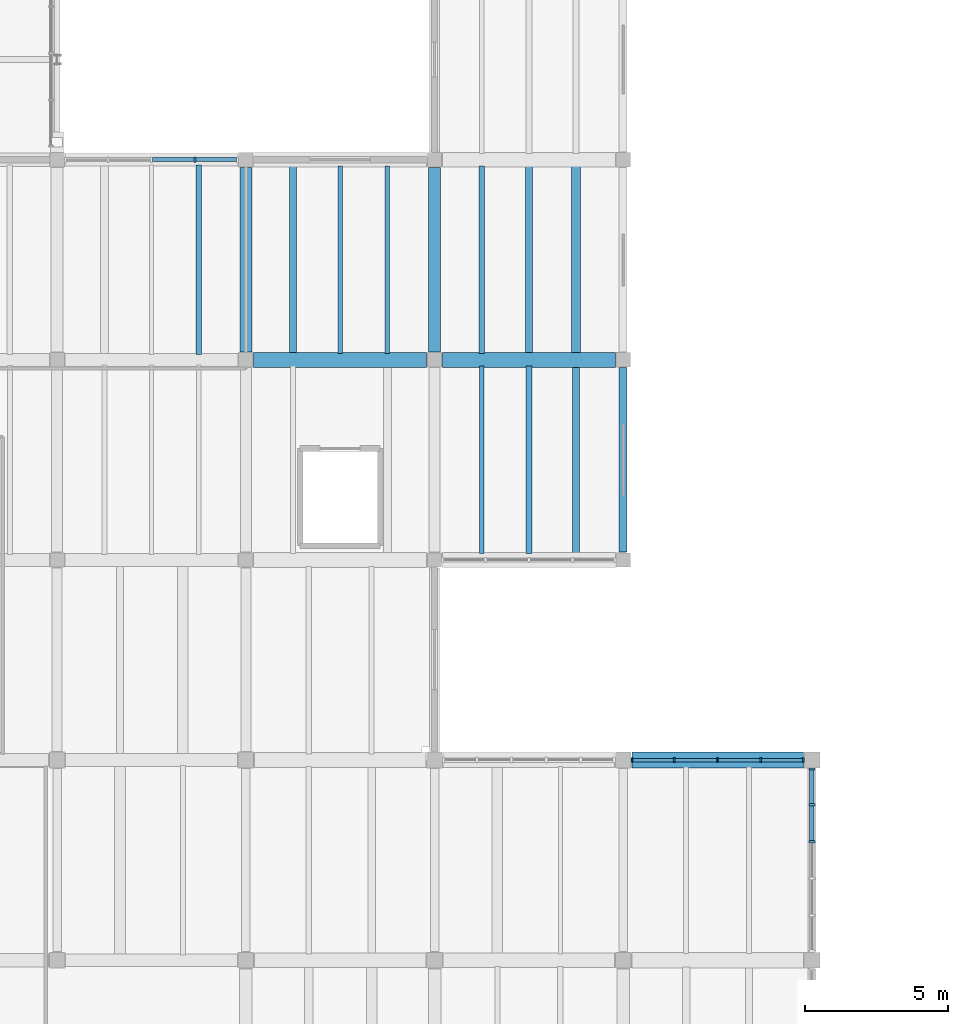
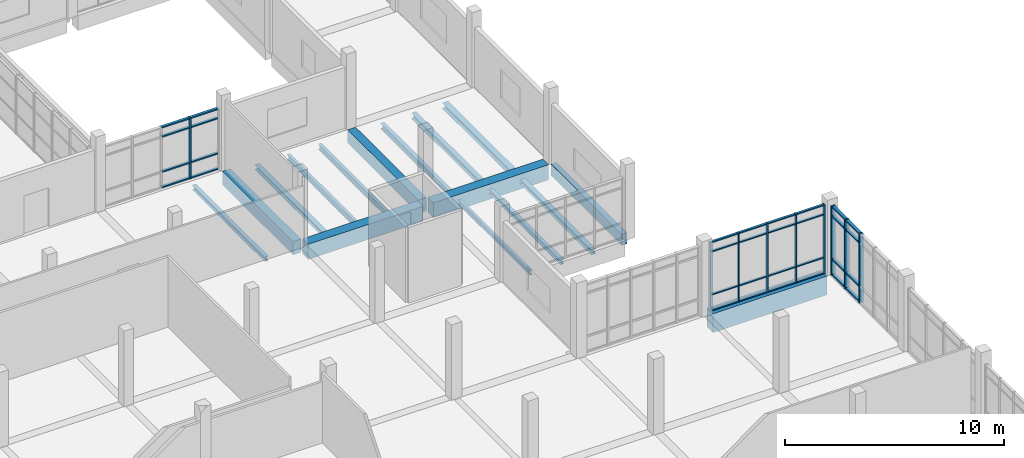
# One storey, part 22 of 65: 41 members, 16 beams, 3 elements without a shape of their own.
"""IFC4 building model written with IfcOpenShell, lengths in metres."""

from ifc_helpers import new_model, si_unit, direction, frame, origin, origin_2d, place, context, subcontext, project, spatial, rectangle, i_section, extrude, material, material_profile, profile_set, type_object, element, aggregate, save


model = new_model("IFC4")

# Units and contexts
model_context = context("Model", 3, precision=1e-05, world=origin(), true_north=direction((0.0, 1.0)))
body_context = subcontext(model_context, "Body", "Model", "MODEL_VIEW")
ifc_project = project(units=[si_unit("LENGTHUNIT", "METRE"), si_unit("AREAUNIT", "SQUARE_METRE"), si_unit("VOLUMEUNIT", "CUBIC_METRE"), si_unit("PLANEANGLEUNIT", "RADIAN"), si_unit("MASSUNIT", "GRAM", prefix="KILO")], contexts=[model_context])

# Site, building, storey
site_placement = place(None, origin())
site = spatial("IfcSite", under=ifc_project, at=site_placement, CompositionType="ELEMENT")
building_placement = place(site_placement, origin())
building = spatial("IfcBuilding", under=site, at=building_placement, Name="Ciguamira Faculty of Natural Sciences", CompositionType="ELEMENT")
storey_placement = place(building_placement, frame((0.0, 0.0, 12.60009765625)))
storey = spatial("IfcBuildingStorey", under=building, at=storey_placement, Name="L03", CompositionType="ELEMENT", Elevation=12.60009765625)

# Curtain wall, members
ifc_material_1 = material(Name="Anodized aluminium curtain wall", Category="aluminium")
curtain_wall_type_1 = type_object("IfcCurtainWallType", Name="CurtainWall_CW-04", PredefinedType="USERDEFINED", material=ifc_material_1)
curtain_wall_1_placement = place(storey_placement, origin())
curtain_wall_1 = element("IfcCurtainWall", 1, at=curtain_wall_1_placement, inside=storey, type_object=curtain_wall_type_1, Name="L03 unitised curtain wall 0088", ObjectType="UNITISED CURTAIN WALL", PredefinedType="USERDEFINED")
ifc_material_2 = material(Name="Anodized aluminium mullion", Category="aluminium")
ifc_material_profile_1 = material_profile(ifc_material_2, rectangle(XDim=0.06005859375, YDim=0.159912109375, at=origin_2d()), Name="ALU-MUL-60X160")
ifc_profile_set_1 = profile_set([ifc_material_profile_1], Name="Anodized aluminium mullion")
member_type_1 = type_object("IfcMemberType", Name="CWMullion_CWM-01", PredefinedType="MULLION", material=ifc_profile_set_1)
member_1_placement = place(storey_placement, frame((117.0048828125, 38.0, 0.0), z_axis=(0.0, 0.0, 1.0), x_axis=(1.0, 0.0, 0.0)))
member_1 = element("IfcMember", 2, at=member_1_placement, type_object=member_type_1, Name="CW-04 mullion 1", PredefinedType="MULLION", context=body_context, shape_type="SweptSolid", body=[
    extrude(rectangle(XDim=0.06005859375, YDim=0.159912109375, at=origin_2d()), origin(), (0.0, 0.0, 1.0), 3.849853515625),
])
member_2_placement = place(storey_placement, frame((118.487548828125, 38.0, 0.0), z_axis=(0.0, 0.0, 1.0), x_axis=(1.0, 0.0, 0.0)))
member_2 = element("IfcMember", 3, at=member_2_placement, type_object=member_type_1, Name="CW-04 mullion 2", PredefinedType="MULLION", context=body_context, shape_type="SweptSolid", body=[
    extrude(rectangle(XDim=0.06005859375, YDim=0.159912109375, at=origin_2d()), origin(), (0.0, 0.0, 1.0), 3.849853515625),
])
member_3_placement = place(storey_placement, frame((120.0, 38.0, 0.0), z_axis=(0.0, 0.0, 1.0), x_axis=(1.0, 0.0, 0.0)))
member_3 = element("IfcMember", 4, at=member_3_placement, type_object=member_type_1, Name="CW-04 mullion 3", PredefinedType="MULLION", context=body_context, shape_type="SweptSolid", body=[
    extrude(rectangle(XDim=0.06005859375, YDim=0.159912109375, at=origin_2d()), origin(), (0.0, 0.0, 1.0), 3.849853515625),
])
member_4_placement = place(storey_placement, frame((121.512451171875, 38.0, 0.0), z_axis=(0.0, 0.0, 1.0), x_axis=(1.0, 0.0, 0.0)))
member_4 = element("IfcMember", 5, at=member_4_placement, type_object=member_type_1, Name="CW-04 mullion 4", PredefinedType="MULLION", context=body_context, shape_type="SweptSolid", body=[
    extrude(rectangle(XDim=0.06005859375, YDim=0.159912109375, at=origin_2d()), origin(), (0.0, 0.0, 1.0), 3.849853515625),
])
member_5_placement = place(storey_placement, frame((122.9951171875, 38.0, 0.0), z_axis=(0.0, 0.0, 1.0), x_axis=(1.0, 0.0, 0.0)))
member_5 = element("IfcMember", 6, at=member_5_placement, type_object=member_type_1, Name="CW-04 mullion 5", PredefinedType="MULLION", context=body_context, shape_type="SweptSolid", body=[
    extrude(rectangle(XDim=0.06005859375, YDim=0.159912109375, at=origin_2d()), origin(), (0.0, 0.0, 1.0), 3.849853515625),
])

# Curtain wall, member
curtain_wall_type_2 = type_object("IfcCurtainWallType", Name="CurtainWall_CW-08", PredefinedType="USERDEFINED", material=ifc_material_1)
curtain_wall_2_placement = place(storey_placement, origin())
curtain_wall_2 = element("IfcCurtainWall", 7, at=curtain_wall_2_placement, inside=storey, type_object=curtain_wall_type_2, Name="L03 unitised curtain wall 0092", ObjectType="UNITISED CURTAIN WALL", PredefinedType="USERDEFINED")
ifc_material_profile_2 = material_profile(ifc_material_2, rectangle(XDim=0.070068359375, YDim=0.179931640625, at=origin_2d()), Name="ALU-MUL-70X180")
ifc_profile_set_2 = profile_set([ifc_material_profile_2], Name="Anodized aluminium mullion")
member_type_2 = type_object("IfcMemberType", Name="CWMullion_CWM-02", PredefinedType="MULLION", material=ifc_profile_set_2)
member_6_placement = place(storey_placement, frame((101.72509765625, 59.0, 0.0), z_axis=(0.0, 0.0, 1.0), x_axis=(1.0, 0.0, 0.0)))
member_6 = element("IfcMember", 8, at=member_6_placement, type_object=member_type_2, Name="CW-08 mullion 4", PredefinedType="MULLION", context=body_context, shape_type="SweptSolid", body=[
    extrude(rectangle(XDim=0.070068359375, YDim=0.179931640625, at=origin_2d()), origin(), (0.0, 0.0, 1.0), 3.40478515625),
])

# Curtain wall, members
curtain_wall_type_3 = type_object("IfcCurtainWallType", Name="CurtainWall_CW-09", PredefinedType="USERDEFINED", material=ifc_material_1)
curtain_wall_3_placement = place(storey_placement, origin())
curtain_wall_3 = element("IfcCurtainWall", 9, at=curtain_wall_3_placement, inside=storey, type_object=curtain_wall_type_3, Name="L03 unitised curtain wall 0105", ObjectType="UNITISED CURTAIN WALL", PredefinedType="USERDEFINED")
ifc_material_profile_3 = material_profile(ifc_material_2, rectangle(XDim=0.080078125, YDim=0.219970703125, at=origin_2d()), Name="ALU-MUL-80X220")
ifc_profile_set_3 = profile_set([ifc_material_profile_3], Name="Anodized aluminium mullion")
member_type_3 = type_object("IfcMemberType", Name="CWMullion_CWM-03", PredefinedType="MULLION", material=ifc_profile_set_3)
member_7_placement = place(storey_placement, frame((123.300048828125, 35.14501953125, 0.0), z_axis=(0.0, 0.0, 1.0), x_axis=(0.0, 1.0, 0.0)))
member_7 = element("IfcMember", 10, at=member_7_placement, type_object=member_type_3, Name="CW-09 mullion 4", PredefinedType="MULLION", context=body_context, shape_type="SweptSolid", body=[
    extrude(rectangle(XDim=0.080078125, YDim=0.219970703125, at=origin_2d()), origin(), (0.0, 0.0, 1.0), 3.849853515625),
])
member_8_placement = place(storey_placement, frame((123.300048828125, 36.43505859375, 0.0), z_axis=(0.0, 0.0, 1.0), x_axis=(0.0, 1.0, 0.0)))
member_8 = element("IfcMember", 11, at=member_8_placement, type_object=member_type_3, Name="CW-09 mullion 5", PredefinedType="MULLION", context=body_context, shape_type="SweptSolid", body=[
    extrude(rectangle(XDim=0.080078125, YDim=0.219970703125, at=origin_2d()), origin(), (0.0, 0.0, 1.0), 3.849853515625),
])
member_9_placement = place(storey_placement, frame((123.300048828125, 37.68505859375, 0.0), z_axis=(0.0, 0.0, 1.0), x_axis=(0.0, 1.0, 0.0)))
member_9 = element("IfcMember", 12, at=member_9_placement, type_object=member_type_3, Name="CW-09 mullion 6", PredefinedType="MULLION", context=body_context, shape_type="SweptSolid", body=[
    extrude(rectangle(XDim=0.080078125, YDim=0.219970703125, at=origin_2d()), origin(), (0.0, 0.0, 1.0), 3.849853515625),
])

# Member
ifc_material_3 = material(Name="Anodized aluminium transom", Category="aluminium")
ifc_material_profile_4 = material_profile(ifc_material_3, rectangle(XDim=0.06005859375, YDim=0.1201171875, at=origin_2d()), Name="ALU-TRN-60X120")
ifc_profile_set_4 = profile_set([ifc_material_profile_4], Name="Anodized aluminium transom")
member_type_4 = type_object("IfcMemberType", Name="CWTransom_CWT-01", PredefinedType="USERDEFINED", material=ifc_profile_set_4)
member_10_placement = place(storey_placement, frame((117.034912109375, 38.0, 0.02978515625), z_axis=(1.0, 0.0, 0.0), x_axis=(0.0, 0.0, 1.0)))
member_10 = element("IfcMember", 13, at=member_10_placement, type_object=member_type_4, Name="CW-04 transom 1.1", ObjectType="TRANSOM", PredefinedType="USERDEFINED", context=body_context, shape_type="SweptSolid", body=[
    extrude(rectangle(XDim=0.06005859375, YDim=0.1201171875, at=origin_2d()), origin(), (0.0, 0.0, 1.0), 1.422607421875),
])

member_11_placement = place(storey_placement, frame((117.034912109375, 38.0, 0.89990234375), z_axis=(1.0, 0.0, 0.0), x_axis=(0.0, 0.0, 1.0)))
member_11 = element("IfcMember", 14, at=member_11_placement, type_object=member_type_4, Name="CW-04 transom 1.2", ObjectType="TRANSOM", PredefinedType="USERDEFINED", context=body_context, shape_type="SweptSolid", body=[
    extrude(rectangle(XDim=0.06005859375, YDim=0.1201171875, at=origin_2d()), origin(), (0.0, 0.0, 1.0), 1.422607421875),
])

member_12_placement = place(storey_placement, frame((117.034912109375, 38.0, 3.2998046875), z_axis=(1.0, 0.0, 0.0), x_axis=(0.0, 0.0, 1.0)))
member_12 = element("IfcMember", 15, at=member_12_placement, type_object=member_type_4, Name="CW-04 transom 1.3", ObjectType="TRANSOM", PredefinedType="USERDEFINED", context=body_context, shape_type="SweptSolid", body=[
    extrude(rectangle(XDim=0.06005859375, YDim=0.1201171875, at=origin_2d()), origin(), (0.0, 0.0, 1.0), 1.422607421875),
])

member_13_placement = place(storey_placement, frame((117.034912109375, 38.0, 3.81982421875), z_axis=(1.0, 0.0, 0.0), x_axis=(0.0, 0.0, 1.0)))
member_13 = element("IfcMember", 16, at=member_13_placement, type_object=member_type_4, Name="CW-04 transom 1.4", ObjectType="TRANSOM", PredefinedType="USERDEFINED", context=body_context, shape_type="SweptSolid", body=[
    extrude(rectangle(XDim=0.06005859375, YDim=0.1201171875, at=origin_2d()), origin(), (0.0, 0.0, 1.0), 1.422607421875),
])

member_14_placement = place(storey_placement, frame((118.517578125, 38.0, 0.02978515625), z_axis=(1.0, 0.0, 0.0), x_axis=(0.0, 0.0, 1.0)))
member_14 = element("IfcMember", 17, at=member_14_placement, type_object=member_type_4, Name="CW-04 transom 2.1", ObjectType="TRANSOM", PredefinedType="USERDEFINED", context=body_context, shape_type="SweptSolid", body=[
    extrude(rectangle(XDim=0.06005859375, YDim=0.1201171875, at=origin_2d()), origin(), (0.0, 0.0, 1.0), 1.452392578125),
])

member_15_placement = place(storey_placement, frame((118.517578125, 38.0, 0.89990234375), z_axis=(1.0, 0.0, 0.0), x_axis=(0.0, 0.0, 1.0)))
member_15 = element("IfcMember", 18, at=member_15_placement, type_object=member_type_4, Name="CW-04 transom 2.2", ObjectType="TRANSOM", PredefinedType="USERDEFINED", context=body_context, shape_type="SweptSolid", body=[
    extrude(rectangle(XDim=0.06005859375, YDim=0.1201171875, at=origin_2d()), origin(), (0.0, 0.0, 1.0), 1.452392578125),
])

member_16_placement = place(storey_placement, frame((118.517578125, 38.0, 3.2998046875), z_axis=(1.0, 0.0, 0.0), x_axis=(0.0, 0.0, 1.0)))
member_16 = element("IfcMember", 19, at=member_16_placement, type_object=member_type_4, Name="CW-04 transom 2.3", ObjectType="TRANSOM", PredefinedType="USERDEFINED", context=body_context, shape_type="SweptSolid", body=[
    extrude(rectangle(XDim=0.06005859375, YDim=0.1201171875, at=origin_2d()), origin(), (0.0, 0.0, 1.0), 1.452392578125),
])

member_17_placement = place(storey_placement, frame((118.517578125, 38.0, 3.81982421875), z_axis=(1.0, 0.0, 0.0), x_axis=(0.0, 0.0, 1.0)))
member_17 = element("IfcMember", 20, at=member_17_placement, type_object=member_type_4, Name="CW-04 transom 2.4", ObjectType="TRANSOM", PredefinedType="USERDEFINED", context=body_context, shape_type="SweptSolid", body=[
    extrude(rectangle(XDim=0.06005859375, YDim=0.1201171875, at=origin_2d()), origin(), (0.0, 0.0, 1.0), 1.452392578125),
])

member_18_placement = place(storey_placement, frame((120.030029296875, 38.0, 0.02978515625), z_axis=(1.0, 0.0, 0.0), x_axis=(0.0, 0.0, 1.0)))
member_18 = element("IfcMember", 21, at=member_18_placement, type_object=member_type_4, Name="CW-04 transom 3.1", ObjectType="TRANSOM", PredefinedType="USERDEFINED", context=body_context, shape_type="SweptSolid", body=[
    extrude(rectangle(XDim=0.06005859375, YDim=0.1201171875, at=origin_2d()), origin(), (0.0, 0.0, 1.0), 1.452392578125),
])

member_19_placement = place(storey_placement, frame((120.030029296875, 38.0, 0.89990234375), z_axis=(1.0, 0.0, 0.0), x_axis=(0.0, 0.0, 1.0)))
member_19 = element("IfcMember", 22, at=member_19_placement, type_object=member_type_4, Name="CW-04 transom 3.2", ObjectType="TRANSOM", PredefinedType="USERDEFINED", context=body_context, shape_type="SweptSolid", body=[
    extrude(rectangle(XDim=0.06005859375, YDim=0.1201171875, at=origin_2d()), origin(), (0.0, 0.0, 1.0), 1.452392578125),
])

member_20_placement = place(storey_placement, frame((120.030029296875, 38.0, 3.2998046875), z_axis=(1.0, 0.0, 0.0), x_axis=(0.0, 0.0, 1.0)))
member_20 = element("IfcMember", 23, at=member_20_placement, type_object=member_type_4, Name="CW-04 transom 3.3", ObjectType="TRANSOM", PredefinedType="USERDEFINED", context=body_context, shape_type="SweptSolid", body=[
    extrude(rectangle(XDim=0.06005859375, YDim=0.1201171875, at=origin_2d()), origin(), (0.0, 0.0, 1.0), 1.452392578125),
])

member_21_placement = place(storey_placement, frame((120.030029296875, 38.0, 3.81982421875), z_axis=(1.0, 0.0, 0.0), x_axis=(0.0, 0.0, 1.0)))
member_21 = element("IfcMember", 24, at=member_21_placement, type_object=member_type_4, Name="CW-04 transom 3.4", ObjectType="TRANSOM", PredefinedType="USERDEFINED", context=body_context, shape_type="SweptSolid", body=[
    extrude(rectangle(XDim=0.06005859375, YDim=0.1201171875, at=origin_2d()), origin(), (0.0, 0.0, 1.0), 1.452392578125),
])

member_22_placement = place(storey_placement, frame((121.54248046875, 38.0, 0.02978515625), z_axis=(1.0, 0.0, 0.0), x_axis=(0.0, 0.0, 1.0)))
member_22 = element("IfcMember", 25, at=member_22_placement, type_object=member_type_4, Name="CW-04 transom 4.1", ObjectType="TRANSOM", PredefinedType="USERDEFINED", context=body_context, shape_type="SweptSolid", body=[
    extrude(rectangle(XDim=0.06005859375, YDim=0.1201171875, at=origin_2d()), origin(), (0.0, 0.0, 1.0), 1.422607421875),
])

member_23_placement = place(storey_placement, frame((121.54248046875, 38.0, 0.89990234375), z_axis=(1.0, 0.0, 0.0), x_axis=(0.0, 0.0, 1.0)))
member_23 = element("IfcMember", 26, at=member_23_placement, type_object=member_type_4, Name="CW-04 transom 4.2", ObjectType="TRANSOM", PredefinedType="USERDEFINED", context=body_context, shape_type="SweptSolid", body=[
    extrude(rectangle(XDim=0.06005859375, YDim=0.1201171875, at=origin_2d()), origin(), (0.0, 0.0, 1.0), 1.422607421875),
])

member_24_placement = place(storey_placement, frame((121.54248046875, 38.0, 3.2998046875), z_axis=(1.0, 0.0, 0.0), x_axis=(0.0, 0.0, 1.0)))
member_24 = element("IfcMember", 27, at=member_24_placement, type_object=member_type_4, Name="CW-04 transom 4.3", ObjectType="TRANSOM", PredefinedType="USERDEFINED", context=body_context, shape_type="SweptSolid", body=[
    extrude(rectangle(XDim=0.06005859375, YDim=0.1201171875, at=origin_2d()), origin(), (0.0, 0.0, 1.0), 1.422607421875),
])

member_25_placement = place(storey_placement, frame((121.54248046875, 38.0, 3.81982421875), z_axis=(1.0, 0.0, 0.0), x_axis=(0.0, 0.0, 1.0)))
member_25 = element("IfcMember", 28, at=member_25_placement, type_object=member_type_4, Name="CW-04 transom 4.4", ObjectType="TRANSOM", PredefinedType="USERDEFINED", context=body_context, shape_type="SweptSolid", body=[
    extrude(rectangle(XDim=0.06005859375, YDim=0.1201171875, at=origin_2d()), origin(), (0.0, 0.0, 1.0), 1.422607421875),
])

aggregate(curtain_wall_1, [member_1, member_2, member_3, member_4, member_5, member_10, member_11, member_12, member_13, member_14, member_15, member_16, member_17, member_18, member_19, member_20, member_21, member_22, member_23, member_24, member_25])

ifc_material_profile_5 = material_profile(ifc_material_3, rectangle(XDim=0.070068359375, YDim=0.139892578125, at=origin_2d()), Name="ALU-TRN-70X140")
ifc_profile_set_5 = profile_set([ifc_material_profile_5], Name="Anodized aluminium transom")
member_type_5 = type_object("IfcMemberType", Name="CWTransom_CWT-02", PredefinedType="USERDEFINED", material=ifc_profile_set_5)
member_26_placement = place(storey_placement, frame((100.235107421875, 59.0, 0.034912109375), z_axis=(1.0, 0.0, 0.0), x_axis=(0.0, 0.0, 1.0)))
member_26 = element("IfcMember", 29, at=member_26_placement, type_object=member_type_5, Name="CW-08 transom 3.1", ObjectType="TRANSOM", PredefinedType="USERDEFINED", context=body_context, shape_type="SweptSolid", body=[
    extrude(rectangle(XDim=0.070068359375, YDim=0.139892578125, at=origin_2d()), origin(), (0.0, 0.0, 1.0), 1.454833984375),
])

member_27_placement = place(storey_placement, frame((100.235107421875, 59.0, 0.89990234375), z_axis=(1.0, 0.0, 0.0), x_axis=(0.0, 0.0, 1.0)))
member_27 = element("IfcMember", 30, at=member_27_placement, type_object=member_type_5, Name="CW-08 transom 3.2", ObjectType="TRANSOM", PredefinedType="USERDEFINED", context=body_context, shape_type="SweptSolid", body=[
    extrude(rectangle(XDim=0.070068359375, YDim=0.139892578125, at=origin_2d()), origin(), (0.0, 0.0, 1.0), 1.454833984375),
])

member_28_placement = place(storey_placement, frame((100.235107421875, 59.0, 2.85498046875), z_axis=(1.0, 0.0, 0.0), x_axis=(0.0, 0.0, 1.0)))
member_28 = element("IfcMember", 31, at=member_28_placement, type_object=member_type_5, Name="CW-08 transom 3.3", ObjectType="TRANSOM", PredefinedType="USERDEFINED", context=body_context, shape_type="SweptSolid", body=[
    extrude(rectangle(XDim=0.070068359375, YDim=0.139892578125, at=origin_2d()), origin(), (0.0, 0.0, 1.0), 1.454833984375),
])

member_29_placement = place(storey_placement, frame((100.235107421875, 59.0, 3.369873046875), z_axis=(1.0, 0.0, 0.0), x_axis=(0.0, 0.0, 1.0)))
member_29 = element("IfcMember", 32, at=member_29_placement, type_object=member_type_5, Name="CW-08 transom 3.4", ObjectType="TRANSOM", PredefinedType="USERDEFINED", context=body_context, shape_type="SweptSolid", body=[
    extrude(rectangle(XDim=0.070068359375, YDim=0.139892578125, at=origin_2d()), origin(), (0.0, 0.0, 1.0), 1.454833984375),
])

member_30_placement = place(storey_placement, frame((101.760009765625, 59.0, 0.034912109375), z_axis=(1.0, 0.0, 0.0), x_axis=(0.0, 0.0, 1.0)))
member_30 = element("IfcMember", 33, at=member_30_placement, type_object=member_type_5, Name="CW-08 transom 4.1", ObjectType="TRANSOM", PredefinedType="USERDEFINED", context=body_context, shape_type="SweptSolid", body=[
    extrude(rectangle(XDim=0.070068359375, YDim=0.139892578125, at=origin_2d()), origin(), (0.0, 0.0, 1.0), 1.419921875),
])

member_31_placement = place(storey_placement, frame((101.760009765625, 59.0, 0.89990234375), z_axis=(1.0, 0.0, 0.0), x_axis=(0.0, 0.0, 1.0)))
member_31 = element("IfcMember", 34, at=member_31_placement, type_object=member_type_5, Name="CW-08 transom 4.2", ObjectType="TRANSOM", PredefinedType="USERDEFINED", context=body_context, shape_type="SweptSolid", body=[
    extrude(rectangle(XDim=0.070068359375, YDim=0.139892578125, at=origin_2d()), origin(), (0.0, 0.0, 1.0), 1.419921875),
])

member_32_placement = place(storey_placement, frame((101.760009765625, 59.0, 2.85498046875), z_axis=(1.0, 0.0, 0.0), x_axis=(0.0, 0.0, 1.0)))
member_32 = element("IfcMember", 35, at=member_32_placement, type_object=member_type_5, Name="CW-08 transom 4.3", ObjectType="TRANSOM", PredefinedType="USERDEFINED", context=body_context, shape_type="SweptSolid", body=[
    extrude(rectangle(XDim=0.070068359375, YDim=0.139892578125, at=origin_2d()), origin(), (0.0, 0.0, 1.0), 1.419921875),
])

member_33_placement = place(storey_placement, frame((101.760009765625, 59.0, 3.369873046875), z_axis=(1.0, 0.0, 0.0), x_axis=(0.0, 0.0, 1.0)))
member_33 = element("IfcMember", 36, at=member_33_placement, type_object=member_type_5, Name="CW-08 transom 4.4", ObjectType="TRANSOM", PredefinedType="USERDEFINED", context=body_context, shape_type="SweptSolid", body=[
    extrude(rectangle(XDim=0.070068359375, YDim=0.139892578125, at=origin_2d()), origin(), (0.0, 0.0, 1.0), 1.419921875),
])

aggregate(curtain_wall_2, [member_6, member_26, member_27, member_28, member_29, member_30, member_31, member_32, member_33])

ifc_material_profile_6 = material_profile(ifc_material_3, rectangle(XDim=0.080078125, YDim=0.159912109375, at=origin_2d()), Name="ALU-TRN-80X160")
ifc_profile_set_6 = profile_set([ifc_material_profile_6], Name="Anodized aluminium transom")
member_type_6 = type_object("IfcMemberType", Name="CWTransom_CWT-03", PredefinedType="USERDEFINED", material=ifc_profile_set_6)
member_34_placement = place(storey_placement, frame((123.300048828125, 35.18505859375, 0.039794921875), z_axis=(0.0, 1.0, 0.0), x_axis=(0.0, 0.0, 1.0)))
member_34 = element("IfcMember", 37, at=member_34_placement, type_object=member_type_6, Name="CW-09 transom 4.1", ObjectType="TRANSOM", PredefinedType="USERDEFINED", context=body_context, shape_type="SweptSolid", body=[
    extrude(rectangle(XDim=0.080078125, YDim=0.159912109375, at=origin_2d()), origin(), (0.0, 0.0, 1.0), 1.2099609375),
])

member_35_placement = place(storey_placement, frame((123.300048828125, 35.18505859375, 0.89990234375), z_axis=(0.0, 1.0, 0.0), x_axis=(0.0, 0.0, 1.0)))
member_35 = element("IfcMember", 38, at=member_35_placement, type_object=member_type_6, Name="CW-09 transom 4.2", ObjectType="TRANSOM", PredefinedType="USERDEFINED", context=body_context, shape_type="SweptSolid", body=[
    extrude(rectangle(XDim=0.080078125, YDim=0.159912109375, at=origin_2d()), origin(), (0.0, 0.0, 1.0), 1.2099609375),
])

member_36_placement = place(storey_placement, frame((123.300048828125, 35.18505859375, 3.2998046875), z_axis=(0.0, 1.0, 0.0), x_axis=(0.0, 0.0, 1.0)))
member_36 = element("IfcMember", 39, at=member_36_placement, type_object=member_type_6, Name="CW-09 transom 4.3", ObjectType="TRANSOM", PredefinedType="USERDEFINED", context=body_context, shape_type="SweptSolid", body=[
    extrude(rectangle(XDim=0.080078125, YDim=0.159912109375, at=origin_2d()), origin(), (0.0, 0.0, 1.0), 1.2099609375),
])

member_37_placement = place(storey_placement, frame((123.300048828125, 35.18505859375, 3.809814453125), z_axis=(0.0, 1.0, 0.0), x_axis=(0.0, 0.0, 1.0)))
member_37 = element("IfcMember", 40, at=member_37_placement, type_object=member_type_6, Name="CW-09 transom 4.4", ObjectType="TRANSOM", PredefinedType="USERDEFINED", context=body_context, shape_type="SweptSolid", body=[
    extrude(rectangle(XDim=0.080078125, YDim=0.159912109375, at=origin_2d()), origin(), (0.0, 0.0, 1.0), 1.2099609375),
])

member_38_placement = place(storey_placement, frame((123.300048828125, 36.47509765625, 0.039794921875), z_axis=(0.0, 1.0, 0.0), x_axis=(0.0, 0.0, 1.0)))
member_38 = element("IfcMember", 41, at=member_38_placement, type_object=member_type_6, Name="CW-09 transom 5.1", ObjectType="TRANSOM", PredefinedType="USERDEFINED", context=body_context, shape_type="SweptSolid", body=[
    extrude(rectangle(XDim=0.080078125, YDim=0.159912109375, at=origin_2d()), origin(), (0.0, 0.0, 1.0), 1.169921875),
])

member_39_placement = place(storey_placement, frame((123.300048828125, 36.47509765625, 0.89990234375), z_axis=(0.0, 1.0, 0.0), x_axis=(0.0, 0.0, 1.0)))
member_39 = element("IfcMember", 42, at=member_39_placement, type_object=member_type_6, Name="CW-09 transom 5.2", ObjectType="TRANSOM", PredefinedType="USERDEFINED", context=body_context, shape_type="SweptSolid", body=[
    extrude(rectangle(XDim=0.080078125, YDim=0.159912109375, at=origin_2d()), origin(), (0.0, 0.0, 1.0), 1.169921875),
])

member_40_placement = place(storey_placement, frame((123.300048828125, 36.47509765625, 3.2998046875), z_axis=(0.0, 1.0, 0.0), x_axis=(0.0, 0.0, 1.0)))
member_40 = element("IfcMember", 43, at=member_40_placement, type_object=member_type_6, Name="CW-09 transom 5.3", ObjectType="TRANSOM", PredefinedType="USERDEFINED", context=body_context, shape_type="SweptSolid", body=[
    extrude(rectangle(XDim=0.080078125, YDim=0.159912109375, at=origin_2d()), origin(), (0.0, 0.0, 1.0), 1.169921875),
])

member_41_placement = place(storey_placement, frame((123.300048828125, 36.47509765625, 3.809814453125), z_axis=(0.0, 1.0, 0.0), x_axis=(0.0, 0.0, 1.0)))
member_41 = element("IfcMember", 44, at=member_41_placement, type_object=member_type_6, Name="CW-09 transom 5.4", ObjectType="TRANSOM", PredefinedType="USERDEFINED", context=body_context, shape_type="SweptSolid", body=[
    extrude(rectangle(XDim=0.080078125, YDim=0.159912109375, at=origin_2d()), origin(), (0.0, 0.0, 1.0), 1.169921875),
])

aggregate(curtain_wall_3, [member_7, member_8, member_9, member_34, member_35, member_36, member_37, member_38, member_39, member_40, member_41])

# Beams
ifc_material_4 = material(Name="Concrete C40/50", Category="concrete")
ifc_material_profile_7 = material_profile(ifc_material_4, rectangle(XDim=0.550048828125, YDim=1.050048828125, at=origin_2d()), Name="RC-BM-550X1050")
ifc_profile_set_7 = profile_set([ifc_material_profile_7], Name="Concrete C40/50")
beam_type_1 = type_object("IfcBeamType", Name="RCBeam_BG-01_RC-BM-550X1050", PredefinedType="BEAM", material=ifc_profile_set_7)
beam_1_placement = place(storey_placement, frame((117.0, 38.0, -0.525146484375), z_axis=(1.0, 0.0, 0.0), x_axis=(0.0, 1.0, 0.0)))
element("IfcBeam", 45, at=beam_1_placement, inside=storey, type_object=beam_type_1, Name="L03 RC girder EW-1090", PredefinedType="BEAM", context=body_context, shape_type="SweptSolid", body=[
    extrude(rectangle(XDim=0.550048828125, YDim=1.050048828125, at=origin_2d()), origin(), (0.0, 0.0, 1.0), 6.0),
])
ifc_material_profile_8 = material_profile(ifc_material_4, rectangle(XDim=0.419921875, YDim=0.739990234375, at=origin_2d()), Name="RC-BM-420X740")
ifc_profile_set_8 = profile_set([ifc_material_profile_8], Name="Concrete C40/50")
beam_type_2 = type_object("IfcBeamType", Name="RCBeam_BG-07_RC-BM-420X740", PredefinedType="BEAM", material=ifc_profile_set_8)
for number, where, z_axis, x_axis, name in (
    (46, (103.5, 52.27490234375, -0.3701171875), (0.0, 1.0, 0.0), (-1.0, 0.0, 0.0), "L03 girder NS-1289"),
    (47, (110.10009765625, 52.27490234375, -0.3701171875), (0.0, 1.0, 0.0), (-1.0, 0.0, 0.0), "L03 girder NS-1299"),
):
    element("IfcBeam", number, at=place(storey_placement, frame(where, z_axis=z_axis, x_axis=x_axis)), inside=storey, type_object=beam_type_2, Name=name, PredefinedType="BEAM", context=body_context, shape_type="SweptSolid", body=[
        extrude(rectangle(XDim=0.419921875, YDim=0.739990234375, at=origin_2d()), origin(), (0.0, 0.0, 1.0), 6.4501953125),
    ])
ifc_material_5 = material(Name="Precast concrete C40/50", Category="concrete")
ifc_material_profile_9 = material_profile(ifc_material_5, rectangle(XDim=0.280029296875, YDim=0.6201171875, at=origin_2d()), Name="RC-SP-280X620")
ifc_profile_set_9 = profile_set([ifc_material_profile_9], Name="Precast concrete C40/50")
beam_type_3 = type_object("IfcBeamType", Name="RCBeam_SP-01_RC-SP-280X620", PredefinedType="SPANDREL", material=ifc_profile_set_9)
beam_2_placement = place(storey_placement, frame((116.699951171875, 45.27490234375, -0.31005859375), z_axis=(0.0, 1.0, 0.0), x_axis=(-1.0, 0.0, 0.0)))
element("IfcBeam", 48, at=beam_2_placement, inside=storey, type_object=beam_type_3, Name="L03 girder NS-1310", PredefinedType="SPANDREL", context=body_context, shape_type="SweptSolid", body=[
    extrude(rectangle(XDim=0.280029296875, YDim=0.6201171875, at=origin_2d()), origin(), (0.0, 0.0, 1.0), 6.4501953125),
])
ifc_material_profile_10 = material_profile(ifc_material_4, rectangle(XDim=0.52001953125, YDim=0.840087890625, at=origin_2d()), Name="RC-TB-520X840")
ifc_profile_set_10 = profile_set([ifc_material_profile_10], Name="Concrete C40/50")
beam_type_4 = type_object("IfcBeamType", Name="RCBeam_TB-02_RC-TB-520X840", PredefinedType="T_BEAM", material=ifc_profile_set_10)
for number, where, z_axis, x_axis, name in (
    (49, (103.77490234375, 52.0, -0.420166015625), (1.0, 0.0, 0.0), (0.0, 1.0, 0.0), "L03 RC girder EW-1107"),
    (50, (110.375, 52.0, -0.420166015625), (1.0, 0.0, 0.0), (0.0, 1.0, 0.0), "L03 RC girder EW-1108"),
):
    element("IfcBeam", number, at=place(storey_placement, frame(where, z_axis=z_axis, x_axis=x_axis)), inside=storey, type_object=beam_type_4, Name=name, PredefinedType="T_BEAM", context=body_context, shape_type="SweptSolid", body=[
        extrude(rectangle(XDim=0.52001953125, YDim=0.840087890625, at=origin_2d()), origin(), (0.0, 0.0, 1.0), 6.050048828125),
    ])
ifc_material_6 = material(Name="Steel ASTM A992 Grade 50", Category="steel")
ifc_material_profile_11 = material_profile(ifc_material_6, i_section(OverallWidth=0.14599609375, OverallDepth=0.259033203125, WebThickness=0.006103515625, FlangeThickness=0.009033203125, at=origin_2d()), Name="W10X22")
ifc_profile_set_11 = profile_set([ifc_material_profile_11], Name="Steel ASTM A992 Grade 50")
beam_type_5 = type_object("IfcBeamType", Name="SteelJoist_SJ-01_W10X22", PredefinedType="JOIST", material=ifc_profile_set_11)
beam_3_placement = place(storey_placement, frame((111.75, 45.219970703125, -0.40966796875), z_axis=(0.0, 1.0, 0.0), x_axis=(-1.0, 0.0, 0.0)))
element("IfcBeam", 51, at=beam_3_placement, inside=storey, type_object=beam_type_5, Name="L03 composite steel joist 01237", PredefinedType="JOIST", context=body_context, shape_type="SweptSolid", body=[
    extrude(i_section(OverallWidth=0.14599609375, OverallDepth=0.259033203125, WebThickness=0.006103515625, FlangeThickness=0.009033203125, at=origin_2d()), origin(), (0.0, 0.0, 1.0), 6.56005859375),
])
ifc_material_profile_12 = material_profile(ifc_material_6, i_section(OverallWidth=0.2021484375, OverallDepth=0.2470703125, WebThickness=0.00732421875, FlangeThickness=0.010986328125, at=origin_2d()), Name="W10X33")
ifc_profile_set_12 = profile_set([ifc_material_profile_12], Name="Steel ASTM A992 Grade 50")
beam_type_6 = type_object("IfcBeamType", Name="SteelJoist_SJ-02_W10X33", PredefinedType="JOIST", material=ifc_profile_set_12)
beam_4_placement = place(storey_placement, frame((101.85009765625, 52.18505859375, -0.40380859375), z_axis=(0.0, 1.0, 0.0), x_axis=(-1.0, 0.0, 0.0)))
element("IfcBeam", 52, at=beam_4_placement, inside=storey, type_object=beam_type_6, Name="L03 composite steel joist 01190", PredefinedType="JOIST", context=body_context, shape_type="SweptSolid", body=[
    extrude(i_section(OverallWidth=0.2021484375, OverallDepth=0.2470703125, WebThickness=0.00732421875, FlangeThickness=0.010986328125, at=origin_2d()), origin(), (0.0, 0.0, 1.0), 6.6298828125),
])
beam_5_placement = place(storey_placement, frame((113.39990234375, 45.219970703125, -0.40380859375), z_axis=(0.0, 1.0, 0.0), x_axis=(-1.0, 0.0, 0.0)))
element("IfcBeam", 53, at=beam_5_placement, inside=storey, type_object=beam_type_6, Name="L03 composite steel joist 01238", PredefinedType="JOIST", context=body_context, shape_type="SweptSolid", body=[
    extrude(i_section(OverallWidth=0.2021484375, OverallDepth=0.2470703125, WebThickness=0.00732421875, FlangeThickness=0.010986328125, at=origin_2d()), origin(), (0.0, 0.0, 1.0), 6.56005859375),
])
ifc_material_profile_13 = material_profile(ifc_material_6, i_section(OverallWidth=0.25390625, OverallDepth=0.25390625, WebThickness=0.008544921875, FlangeThickness=0.01416015625, at=origin_2d()), Name="W10X49")
ifc_profile_set_13 = profile_set([ifc_material_profile_13], Name="Steel ASTM A992 Grade 50")
beam_type_7 = type_object("IfcBeamType", Name="SteelJoist_SJ-03_W10X49", PredefinedType="JOIST", material=ifc_profile_set_13)
for number, where, z_axis, x_axis, name in (
    (54, (105.14990234375, 52.219970703125, -0.406982421875), (0.0, 1.0, 0.0), (-1.0, 0.0, 0.0), "L03 composite steel joist 01216"),
    (55, (115.050048828125, 45.219970703125, -0.406982421875), (0.0, 1.0, 0.0), (-1.0, 0.0, 0.0), "L03 composite steel joist 01239"),
):
    element("IfcBeam", number, at=place(storey_placement, frame(where, z_axis=z_axis, x_axis=x_axis)), inside=storey, type_object=beam_type_7, Name=name, PredefinedType="JOIST", context=body_context, shape_type="SweptSolid", body=[
        extrude(i_section(OverallWidth=0.25390625, OverallDepth=0.25390625, WebThickness=0.008544921875, FlangeThickness=0.01416015625, at=origin_2d()), origin(), (0.0, 0.0, 1.0), 6.56005859375),
    ])
ifc_material_profile_14 = material_profile(ifc_material_6, i_section(OverallWidth=0.164794921875, OverallDepth=0.309814453125, WebThickness=0.005859375, FlangeThickness=0.009765625, at=origin_2d()), Name="W12X26")
ifc_profile_set_14 = profile_set([ifc_material_profile_14], Name="Steel ASTM A992 Grade 50")
beam_type_8 = type_object("IfcBeamType", Name="SteelJoist_SJ-04_W12X26", PredefinedType="JOIST", material=ifc_profile_set_14)
beam_6_placement = place(storey_placement, frame((106.800048828125, 52.219970703125, -0.43505859375), z_axis=(0.0, 1.0, 0.0), x_axis=(-1.0, 0.0, 0.0)))
element("IfcBeam", 56, at=beam_6_placement, inside=storey, type_object=beam_type_8, Name="L03 composite steel joist 01217", PredefinedType="JOIST", context=body_context, shape_type="SweptSolid", body=[
    extrude(i_section(OverallWidth=0.164794921875, OverallDepth=0.309814453125, WebThickness=0.005859375, FlangeThickness=0.009765625, at=origin_2d()), origin(), (0.0, 0.0, 1.0), 6.56005859375),
])
ifc_material_profile_15 = material_profile(ifc_material_6, i_section(OverallWidth=0.16650390625, OverallDepth=0.3173828125, WebThickness=0.007568359375, FlangeThickness=0.01318359375, at=origin_2d()), Name="W12X35")
ifc_profile_set_15 = profile_set([ifc_material_profile_15], Name="Steel ASTM A992 Grade 50")
beam_type_9 = type_object("IfcBeamType", Name="SteelJoist_SJ-05_W12X35", PredefinedType="JOIST", material=ifc_profile_set_15)
beam_7_placement = place(storey_placement, frame((108.449951171875, 52.219970703125, -0.438720703125), z_axis=(0.0, 1.0, 0.0), x_axis=(-1.0, 0.0, 0.0)))
element("IfcBeam", 57, at=beam_7_placement, inside=storey, type_object=beam_type_9, Name="L03 composite steel joist 01218", PredefinedType="JOIST", context=body_context, shape_type="SweptSolid", body=[
    extrude(i_section(OverallWidth=0.16650390625, OverallDepth=0.3173828125, WebThickness=0.007568359375, FlangeThickness=0.01318359375, at=origin_2d()), origin(), (0.0, 0.0, 1.0), 6.56005859375),
])
ifc_material_profile_16 = material_profile(ifc_material_6, i_section(OverallWidth=0.20458984375, OverallDepth=0.307373046875, WebThickness=0.008544921875, FlangeThickness=0.0146484375, at=origin_2d()), Name="W12X45")
ifc_profile_set_16 = profile_set([ifc_material_profile_16], Name="Steel ASTM A992 Grade 50")
beam_type_10 = type_object("IfcBeamType", Name="SteelJoist_SJ-06_W12X45", PredefinedType="JOIST", material=ifc_profile_set_16)
beam_8_placement = place(storey_placement, frame((111.75, 52.219970703125, -0.433837890625), z_axis=(0.0, 1.0, 0.0), x_axis=(-1.0, 0.0, 0.0)))
element("IfcBeam", 58, at=beam_8_placement, inside=storey, type_object=beam_type_10, Name="L03 composite steel joist 01240", PredefinedType="JOIST", context=body_context, shape_type="SweptSolid", body=[
    extrude(i_section(OverallWidth=0.20458984375, OverallDepth=0.307373046875, WebThickness=0.008544921875, FlangeThickness=0.0146484375, at=origin_2d()), origin(), (0.0, 0.0, 1.0), 6.56005859375),
])
ifc_material_profile_17 = material_profile(ifc_material_6, i_section(OverallWidth=0.25390625, OverallDepth=0.307373046875, WebThickness=0.0087890625, FlangeThickness=0.0146484375, at=origin_2d()), Name="W12X53")
ifc_profile_set_17 = profile_set([ifc_material_profile_17], Name="Steel ASTM A992 Grade 50")
beam_type_11 = type_object("IfcBeamType", Name="SteelJoist_SJ-07_W12X53", PredefinedType="JOIST", material=ifc_profile_set_17)
beam_9_placement = place(storey_placement, frame((113.39990234375, 52.219970703125, -0.433837890625), z_axis=(0.0, 1.0, 0.0), x_axis=(-1.0, 0.0, 0.0)))
element("IfcBeam", 59, at=beam_9_placement, inside=storey, type_object=beam_type_11, Name="L03 composite steel joist 01241", PredefinedType="JOIST", context=body_context, shape_type="SweptSolid", body=[
    extrude(i_section(OverallWidth=0.25390625, OverallDepth=0.307373046875, WebThickness=0.0087890625, FlangeThickness=0.0146484375, at=origin_2d()), origin(), (0.0, 0.0, 1.0), 6.56005859375),
])
ifc_material_profile_18 = material_profile(ifc_material_6, i_section(OverallWidth=0.3046875, OverallDepth=0.307373046875, WebThickness=0.010009765625, FlangeThickness=0.015380859375, at=origin_2d()), Name="W12X65")
ifc_profile_set_18 = profile_set([ifc_material_profile_18], Name="Steel ASTM A992 Grade 50")
beam_type_12 = type_object("IfcBeamType", Name="SteelJoist_SJ-08_W12X65", PredefinedType="JOIST", material=ifc_profile_set_18)
beam_10_placement = place(storey_placement, frame((115.050048828125, 52.219970703125, -0.433837890625), z_axis=(0.0, 1.0, 0.0), x_axis=(-1.0, 0.0, 0.0)))
element("IfcBeam", 60, at=beam_10_placement, inside=storey, type_object=beam_type_12, Name="L03 composite steel joist 01242", PredefinedType="JOIST", context=body_context, shape_type="SweptSolid", body=[
    extrude(i_section(OverallWidth=0.3046875, OverallDepth=0.307373046875, WebThickness=0.010009765625, FlangeThickness=0.015380859375, at=origin_2d()), origin(), (0.0, 0.0, 1.0), 6.56005859375),
])

save(model, "model.ifc")
